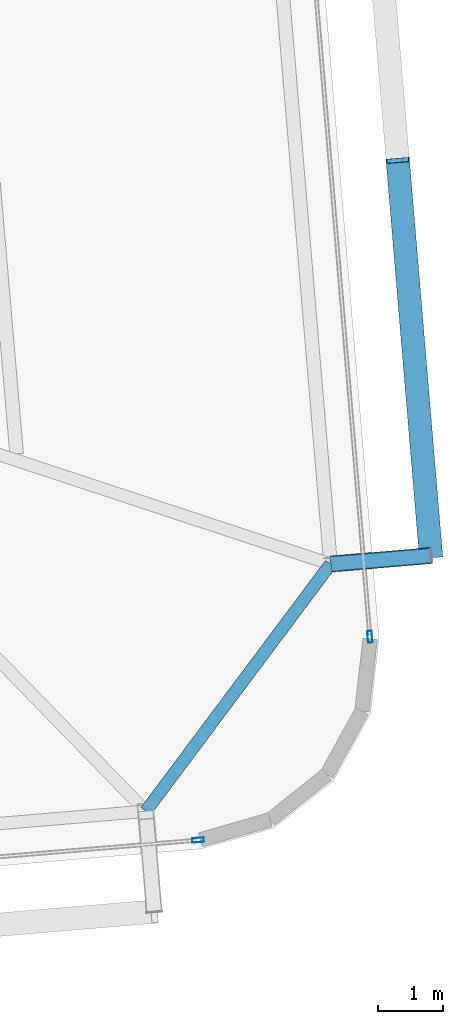
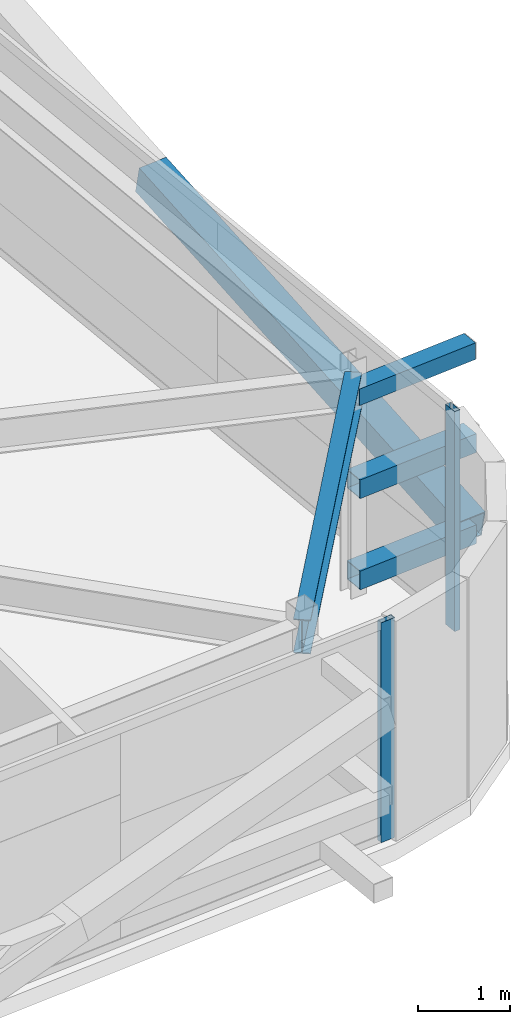
# One storey, part 18 of 39: 6 members, 1 beam, 2 elements without a shape of their own.
"""IFC4 building model written with IfcOpenShell, lengths in metres."""

from ifc_helpers import new_model, si_unit, direction, frame, origin, origin_2d, place, context, subcontext, project, spatial, hollow_rectangle, i_section, extrude, source, transform, mapped, material, layer, layer_set, material_profile, profile_set, type_object, element, aggregate, save


model = new_model("IFC4")

# Units and contexts
model_context = context("Model", 3, precision=1e-05, world=origin(), true_north=direction((0.0, 1.0)))
body_context = subcontext(model_context, "Body", "Model", "MODEL_VIEW")
ifc_project = project(units=[si_unit("LENGTHUNIT", "METRE"), si_unit("AREAUNIT", "SQUARE_METRE"), si_unit("VOLUMEUNIT", "CUBIC_METRE"), si_unit("PLANEANGLEUNIT", "RADIAN"), si_unit("MASSUNIT", "GRAM", prefix="KILO")], contexts=[model_context])

# Site, building, storey
site_placement = place(None, origin())
site = spatial("IfcSite", under=ifc_project, at=site_placement, CompositionType="ELEMENT")
building_placement = place(site_placement, origin())
building = spatial("IfcBuilding", under=site, at=building_placement, Name="Taldren Reach Tower", CompositionType="ELEMENT")
storey_placement = place(building_placement, frame((0.0, 0.0, 178.85009765625)))
storey = spatial("IfcBuildingStorey", under=building, at=storey_placement, Name="L54", CompositionType="ELEMENT", Elevation=178.85009765625)

# Beam
ifc_material_1 = material(Name="Steel Gr 350 (350PLUS)", Category="steel")
ifc_material_profile_1 = material_profile(ifc_material_1, i_section(OverallWidth=0.18994140625, OverallDepth=0.4541015625, WebThickness=0.008544921875, FlangeThickness=0.0126953125, at=origin_2d()), Name="460UB67.1")
ifc_profile_set_1 = profile_set([ifc_material_profile_1], Name="Steel Gr 350 (350PLUS)")
beam_type = type_object("IfcBeamType", Name="SP-UB460B", PredefinedType="SPANDREL", material=ifc_profile_set_1)
shared_shape_1 = source(origin(), body_context, "Body", "SweptSolid", [
    extrude(i_section(OverallWidth=0.18994140625, OverallDepth=0.4541015625, WebThickness=0.008544921875, FlangeThickness=0.0126953125, at=origin_2d()), origin(), (0.0, 0.0, 1.0), 4.746337890625),
])
beam_placement = place(storey_placement, frame((58.796142578125, 5.516357421875, 2.702880859375), z_axis=(0.598797715541, 0.800900303323, 0.0), x_axis=(-0.800900303323, 0.598797715541, 0.0)))
element("IfcBeam", 1, at=beam_placement, inside=storey, type_object=beam_type, Name="Perimeter spandrel B4 S6-E1 L54", PredefinedType="SPANDREL", context=body_context, shape_type="MappedRepresentation", body=[
    mapped(shared_shape_1, transform((0.0, 0.0, 0.0), scale=1.0)),
])

# Members
ifc_material_2 = material(Name="Steel Gr 450 (C450L0)", Category="steel")
ifc_material_profile_2 = material_profile(ifc_material_2, hollow_rectangle(XDim=0.219970703125, YDim=0.219970703125, WallThickness=0.00830078125, at=origin_2d()), Name="220x220x8.2SHS")
ifc_profile_set_2 = profile_set([ifc_material_profile_2], Name="Steel Gr 450 (C450L0)")
member_type_1 = type_object("IfcMemberType", Name="MB-TIE219", PredefinedType="STRUT", material=ifc_profile_set_2)
shared_shape_2 = source(origin(), body_context, "Body", "SweptSolid", [
    extrude(hollow_rectangle(XDim=0.219970703125, YDim=0.219970703125, WallThickness=0.00830078125, at=origin_2d()), origin(), (0.0, 0.0, 1.0), 1.545166015625),
])
member_1_placement = place(storey_placement, frame((61.642822265625, 9.31787109375, 2.64990234375), z_axis=(0.996487766615, 0.083738467783, 0.0), x_axis=(-0.083738467783, 0.996487766615, 0.0)))
element("IfcMember", 2, at=member_1_placement, inside=storey, type_object=member_type_1, Name="Exoskeleton diaphragm tie strut B4-E1 L54", PredefinedType="STRUT", context=body_context, shape_type="MappedRepresentation", body=[
    mapped(shared_shape_2, transform((0.0, 0.0, 0.0), scale=1.0)),
])
ifc_material_3 = material(Name="Steel Gr 350 (C350L0)", Category="steel")
ifc_material_profile_3 = material_profile(ifc_material_3, hollow_rectangle(XDim=0.25, YDim=0.25, WallThickness=0.010009765625, at=origin_2d()), Name="250x250x10.0SHS")
ifc_profile_set_3 = profile_set([ifc_material_profile_3], Name="Steel Gr 350 (C350L0)")
member_type_2 = type_object("IfcMemberType", Name="MB-POST250", PredefinedType="POST", material=ifc_profile_set_3)
shared_shape_3 = source(origin(), body_context, "Body", "SweptSolid", [
    extrude(hollow_rectangle(XDim=0.25, YDim=0.25, WallThickness=0.010009765625, at=origin_2d()), origin(), (0.0, 0.0, 1.0), 1.545166015625),
])
for number, where, z_axis, x_axis, name in (
    (3, (61.642822265625, 9.31787109375, 0.219970703125), (0.996487766615, 0.083738467783, 0.0), (-0.083738467783, 0.996487766615, 0.0), "Exoskeleton base diaphragm tie strut B4-E1 L54"),
    (4, (61.642822265625, 9.31787109375, 1.434814453125), (0.996487766615, 0.083738467783, 0.0), (-0.083738467783, 0.996487766615, 0.0), "Exoskeleton mid-tier diaphragm tie B4-E1 L54"),
):
    element("IfcMember", number, at=place(storey_placement, frame(where, z_axis=z_axis, x_axis=x_axis)), inside=storey, type_object=member_type_2, Name=name, PredefinedType="POST", context=body_context, shape_type="MappedRepresentation", body=[
        mapped(shared_shape_3, transform((0.0, 0.0, 0.0), scale=1.0)),
    ])
ifc_material_profile_4 = material_profile(ifc_material_2, hollow_rectangle(XDim=0.360107421875, YDim=0.360107421875, WallThickness=0.0126953125, at=origin_2d()), Name="360x360x12.7SHS")
ifc_profile_set_4 = profile_set([ifc_material_profile_4], Name="Steel Gr 450 (C450L0)")
member_type_3 = type_object("IfcMemberType", Name="MB-EXO356", PredefinedType="BRACE", material=ifc_profile_set_4)
shared_shape_4 = source(origin(), body_context, "Body", "SweptSolid", [
    extrude(hollow_rectangle(XDim=0.360107421875, YDim=0.360107421875, WallThickness=0.0126953125, at=origin_2d()), origin(), (0.0, 0.0, 1.0), 6.2197265625),
])
member_2_placement = place(storey_placement, frame((63.1826171875, 9.447265625, 0.219970703125), z_axis=(-0.082076194186, 0.977299417909, 0.19531857593), x_axis=(-0.996492003099, -0.083688038336, 0.0)))
element("IfcMember", 5, at=member_2_placement, inside=storey, type_object=member_type_3, Name="Exoskeleton Diagrid Brace B4-E1 L54", PredefinedType="BRACE", context=body_context, shape_type="MappedRepresentation", body=[
    mapped(shared_shape_4, transform((0.0, 0.0, 0.0), scale=1.0)),
])

# Curtain wall, member
ifc_material_4 = material(Name="Aluminium and Low-E Glass Unitised System", Category="aluminium")
ifc_layer = layer(ifc_material_4, 0.159912109375)
ifc_layer_set = layer_set([ifc_layer], Name="Aluminium and Low-E Glass Unitised System")
curtain_wall_type = type_object("IfcCurtainWallType", Name="CW-SYS-5", PredefinedType="NOTDEFINED", material=ifc_layer_set)
curtain_wall_1_placement = place(storey_placement, origin())
curtain_wall_1 = element("IfcCurtainWall", 6, at=curtain_wall_1_placement, inside=storey, type_object=curtain_wall_type, Name="Unitised curtain wall CW-L54-S", PredefinedType="NOTDEFINED")
ifc_material_5 = material(Name="Anodised Aluminium 6063-T6", Category="aluminium")
ifc_material_profile_5 = material_profile(ifc_material_5, hollow_rectangle(XDim=0.070068359375, YDim=0.179931640625, WallThickness=0.00390625, at=origin_2d()), Name="ALU-180x70x4RHS")
ifc_profile_set_5 = profile_set([ifc_material_profile_5], Name="Anodised Aluminium 6063-T6")
member_type_4 = type_object("IfcMemberType", Name="CW-MUL-180", PredefinedType="MULLION", material=ifc_profile_set_5)
shared_shape_5 = source(origin(), body_context, "Body", "SweptSolid", [
    extrude(hollow_rectangle(XDim=0.070068359375, YDim=0.179931640625, WallThickness=0.00390625, at=origin_2d()), origin(), (0.0, 0.0, 1.0), 2.929931640625),
])
member_3_placement = place(storey_placement, frame((59.60107421875, 5.072265625, 0.0), z_axis=(0.0, 0.0, 1.0), x_axis=(-0.083677894865, 0.996492854922, 0.0)))
member_3 = element("IfcMember", 7, at=member_3_placement, type_object=member_type_4, Name="CW-5 mullion 5", PredefinedType="MULLION", context=body_context, shape_type="MappedRepresentation", body=[
    mapped(shared_shape_5, transform((0.0, 0.0, 0.0), scale=1.0)),
])
aggregate(curtain_wall_1, [member_3])

curtain_wall_2_placement = place(storey_placement, origin())
curtain_wall_2 = element("IfcCurtainWall", 8, at=curtain_wall_2_placement, inside=storey, type_object=curtain_wall_type, Name="Unitised curtain wall CW-L54-E", PredefinedType="NOTDEFINED")
member_4_placement = place(storey_placement, frame((62.243896484375, 8.199462890625, 0.0), z_axis=(0.0, 0.0, 1.0), x_axis=(-0.996492847789, -0.083677979808, 0.0)))
member_4 = element("IfcMember", 9, at=member_4_placement, type_object=member_type_4, Name="CW-5 mullion 1", PredefinedType="MULLION", context=body_context, shape_type="MappedRepresentation", body=[
    mapped(shared_shape_5, transform((0.0, 0.0, 0.0), scale=1.0)),
])
aggregate(curtain_wall_2, [member_4])

save(model, "model.ifc")
